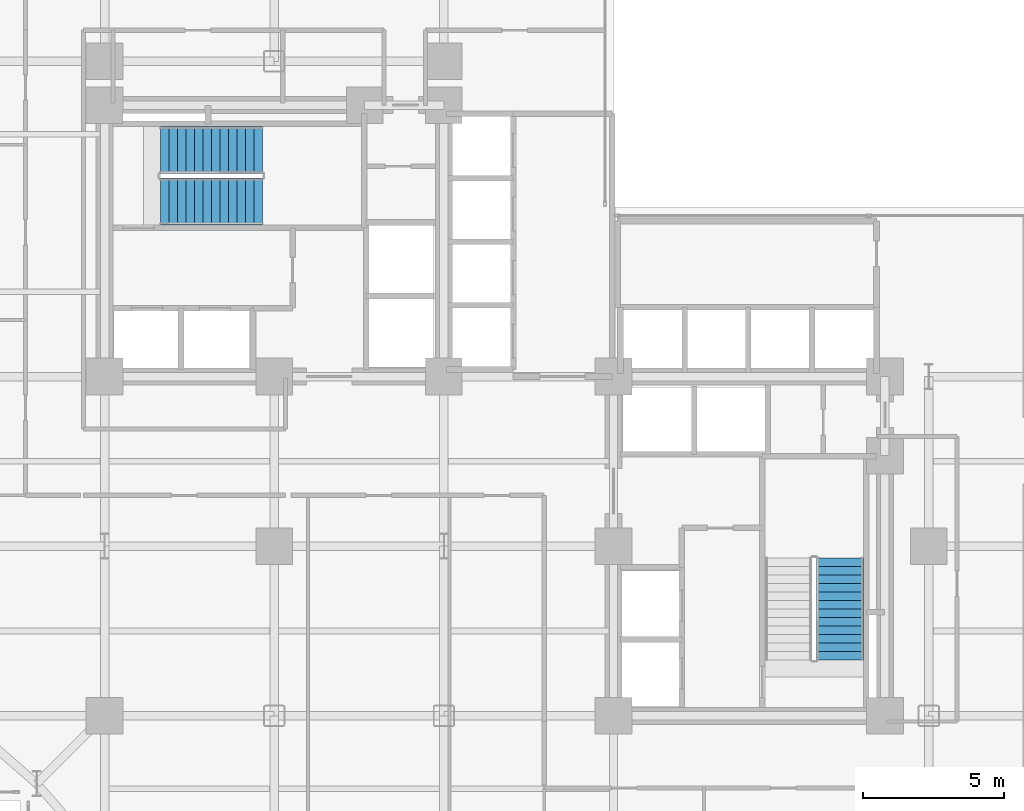
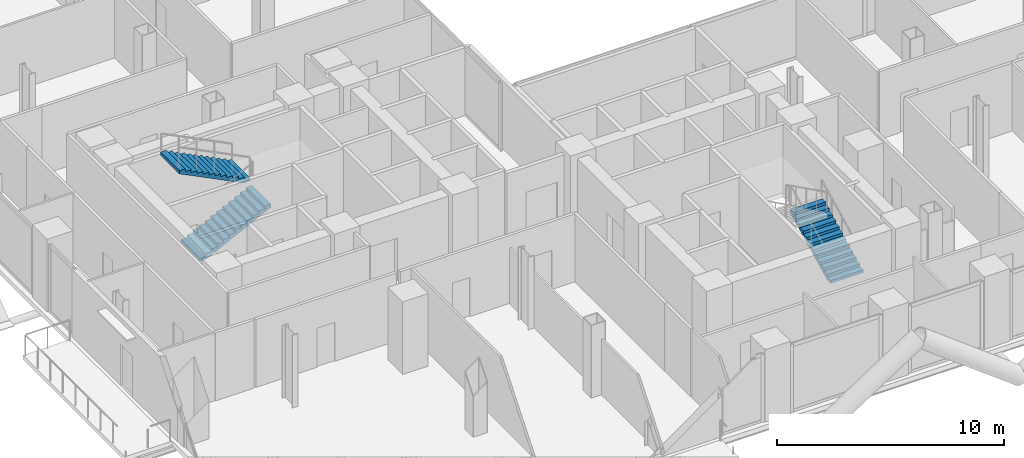
# One storey, part 23 of 25: 3 stair flights, 2 elements without a shape of their own.
"""IFC4 building model written with IfcOpenShell, lengths in metres."""

from ifc_helpers import new_model, si_unit, direction, frame, origin, place, context, subcontext, project, spatial, polyline, outline, extrude, material, type_object, element, aggregate, save


model = new_model("IFC4")

# Units and contexts
model_context = context("Model", 3, precision=1e-05, world=origin(), true_north=direction((0.0, 1.0)))
body_context = subcontext(model_context, "Body", "Model", "MODEL_VIEW")
ifc_project = project(units=[si_unit("LENGTHUNIT", "METRE"), si_unit("AREAUNIT", "SQUARE_METRE"), si_unit("VOLUMEUNIT", "CUBIC_METRE"), si_unit("PLANEANGLEUNIT", "RADIAN"), si_unit("MASSUNIT", "GRAM", prefix="KILO"), si_unit("THERMODYNAMICTEMPERATUREUNIT", "KELVIN"), si_unit("POWERUNIT", "WATT")], contexts=[model_context])

# Site, building, storey
site_placement = place(None, origin())
site = spatial("IfcSite", under=ifc_project, at=site_placement, CompositionType="ELEMENT")
building_placement = place(site_placement, origin())
building = spatial("IfcBuilding", under=site, at=building_placement, Name="Svarakhadi Broadcast Tower", CompositionType="ELEMENT")
storey_placement = place(building_placement, frame((0.0, 0.0, 36.300048828125)))
storey = spatial("IfcBuildingStorey", under=building, at=storey_placement, Name="L07", CompositionType="ELEMENT", Elevation=36.300048828125)

# Stair, stair flights
ifc_material = material(Name="Concrete C40/50 (IS 456 M50)", Category="concrete")
stair_type = type_object("IfcStairType", Name="Stair_Exit_Core", PredefinedType="HALF_TURN_STAIR", material=ifc_material)
stair_1_placement = place(storey_placement, origin())
stair_1 = element("IfcStair", 1, at=stair_1_placement, inside=storey, type_object=stair_type, Name="L07 West Core Protected Exit Stair ST-01", PredefinedType="HALF_TURN_STAIR")
stair_flight_type = type_object("IfcStairFlightType", Name="Flight_RC_1680", PredefinedType="STRAIGHT", material=ifc_material)
stair_flight_1_placement = place(storey_placement, frame((7.97998046875, 24.18994140625, 0.0), z_axis=(0.0, 0.0, 1.0), x_axis=(1.0, 0.0, 0.0)))
stair_flight_1 = element("IfcStairFlight", 2, at=stair_flight_1_placement, type_object=stair_flight_type, Name="ST-01 flight 1", NumberOfRisers=13, NumberOfTreads=12, PredefinedType="STRAIGHT", RiserHeight=0.15, TreadLength=0.3, context=body_context, shape_type="SweptSolid", body=[
    extrude(outline(polyline([(0.0, 0.0), (0.0, 0.14990234375), (0.300048828125, 0.14990234375), (0.300048828125, 0.300048828125), (0.60009765625, 0.300048828125), (0.60009765625, 0.449951171875), (0.89990234375, 0.449951171875), (0.89990234375, 0.60009765625), (1.199951171875, 0.60009765625), (1.199951171875, 0.75), (1.5, 0.75), (1.5, 0.89990234375), (1.800048828125, 0.89990234375), (1.800048828125, 1.050048828125), (2.10009765625, 1.050048828125), (2.10009765625, 1.199951171875), (2.39990234375, 1.199951171875), (2.39990234375, 1.35009765625), (2.699951171875, 1.35009765625), (2.699951171875, 1.5), (3.0, 1.5), (3.0, 1.64990234375), (3.300048828125, 1.64990234375), (3.300048828125, 1.800048828125), (3.60009765625, 1.800048828125), (3.60009765625, 1.949951171875), (3.60009765625, 1.63232421875), (0.335205078125, 0.0), (0.0, 0.0)])), frame((0.0, 0.830078125, 0.0), z_axis=(0.0, -1.0, 0.0), x_axis=(1.0, 0.0, 0.0)), (0.0, 0.0, 1.0), 1.659912109375),
])
stair_flight_2_placement = place(storey_placement, frame((11.580078125, 26.010009765625, 1.949951171875), z_axis=(0.0, 0.0, 1.0), x_axis=(-1.0, 0.0, 0.0)))
stair_flight_2 = element("IfcStairFlight", 3, at=stair_flight_2_placement, type_object=stair_flight_type, Name="ST-01 flight 2", NumberOfRisers=13, NumberOfTreads=12, PredefinedType="STRAIGHT", RiserHeight=0.15, TreadLength=0.3, context=body_context, shape_type="SweptSolid", body=[
    extrude(outline(polyline([(0.0, 0.0), (0.0, 0.14990234375), (0.300048828125, 0.14990234375), (0.300048828125, 0.300048828125), (0.60009765625, 0.300048828125), (0.60009765625, 0.449951171875), (0.89990234375, 0.449951171875), (0.89990234375, 0.60009765625), (1.199951171875, 0.60009765625), (1.199951171875, 0.75), (1.5, 0.75), (1.5, 0.89990234375), (1.800048828125, 0.89990234375), (1.800048828125, 1.050048828125), (2.10009765625, 1.050048828125), (2.10009765625, 1.199951171875), (2.39990234375, 1.199951171875), (2.39990234375, 1.35009765625), (2.699951171875, 1.35009765625), (2.699951171875, 1.5), (3.0, 1.5), (3.0, 1.64990234375), (3.300048828125, 1.64990234375), (3.300048828125, 1.800048828125), (3.60009765625, 1.800048828125), (3.60009765625, 1.949951171875), (3.60009765625, 1.63232421875), (0.335205078125, 0.0), (0.0, 0.0)])), frame((0.0, 0.830078125, 0.0), z_axis=(0.0, -1.0, 0.0), x_axis=(1.0, 0.0, 0.0)), (0.0, 0.0, 1.0), 1.659912109375),
])
aggregate(stair_1, [stair_flight_1, stair_flight_2])

# Stair, stair flight
stair_2_placement = place(storey_placement, origin())
stair_2 = element("IfcStair", 4, at=stair_2_placement, inside=storey, type_object=stair_type, Name="L07 East Core Protected Exit Stair ST-02", PredefinedType="HALF_TURN_STAIR")
stair_flight_3_placement = place(storey_placement, frame((32.010009765625, 7.97998046875, 0.0), z_axis=(0.0, 0.0, 1.0), x_axis=(0.0, 1.0, 0.0)))
stair_flight_3 = element("IfcStairFlight", 5, at=stair_flight_3_placement, type_object=stair_flight_type, Name="ST-02 flight 1", NumberOfRisers=13, NumberOfTreads=12, PredefinedType="STRAIGHT", RiserHeight=0.15, TreadLength=0.3, context=body_context, shape_type="SweptSolid", body=[
    extrude(outline(polyline([(0.0, 0.0), (0.0, 0.14990234375), (0.300048828125, 0.14990234375), (0.300048828125, 0.300048828125), (0.60009765625, 0.300048828125), (0.60009765625, 0.449951171875), (0.89990234375, 0.449951171875), (0.89990234375, 0.60009765625), (1.199951171875, 0.60009765625), (1.199951171875, 0.75), (1.5, 0.75), (1.5, 0.89990234375), (1.800048828125, 0.89990234375), (1.800048828125, 1.050048828125), (2.10009765625, 1.050048828125), (2.10009765625, 1.199951171875), (2.39990234375, 1.199951171875), (2.39990234375, 1.35009765625), (2.699951171875, 1.35009765625), (2.699951171875, 1.5), (3.0, 1.5), (3.0, 1.64990234375), (3.300048828125, 1.64990234375), (3.300048828125, 1.800048828125), (3.60009765625, 1.800048828125), (3.60009765625, 1.949951171875), (3.60009765625, 1.63232421875), (0.335205078125, 0.0), (0.0, 0.0)])), frame((0.0, 0.830078125, 0.0), z_axis=(0.0, -1.0, 0.0), x_axis=(1.0, 0.0, 0.0)), (0.0, 0.0, 1.0), 1.659912109375),
])
aggregate(stair_2, [stair_flight_3])

save(model, "model.ifc")
